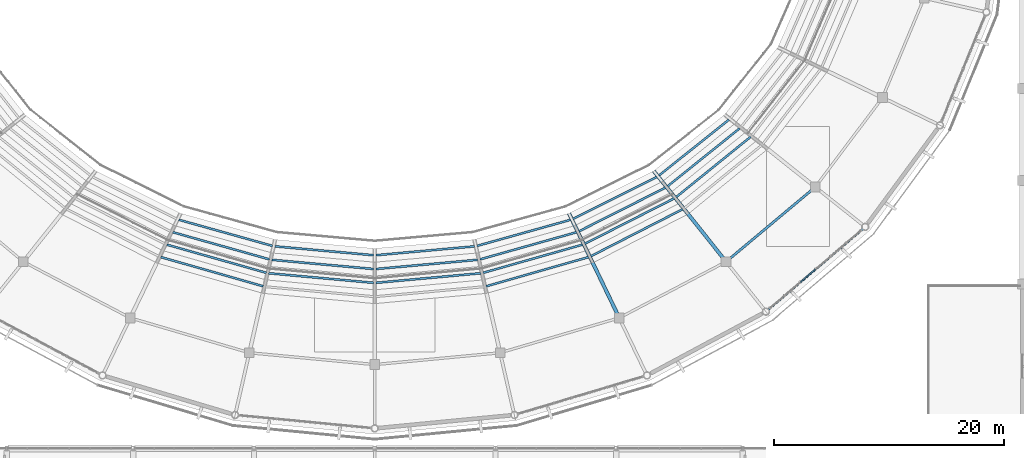
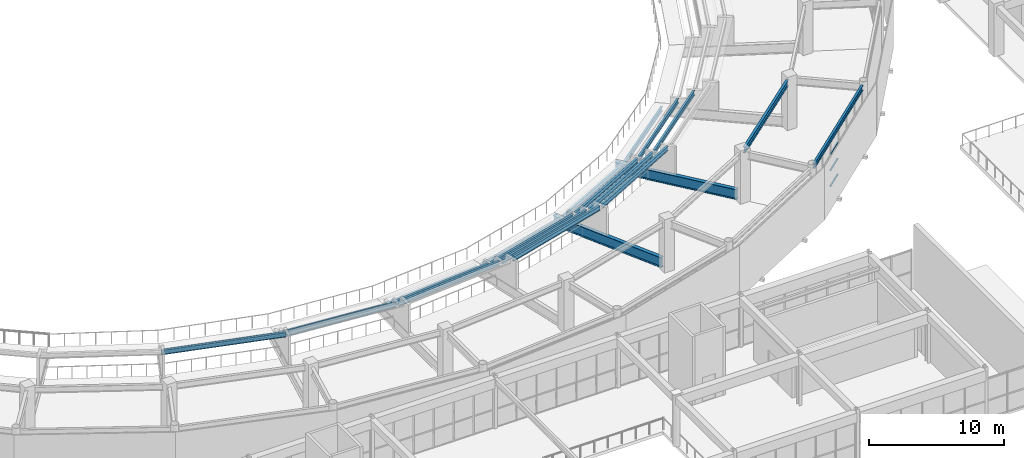
# One storey, part 38 of 122: 25 beams, 4 members, 1 element without a shape of its own.
"""IFC4 building model written with IfcOpenShell, lengths in metres."""

from ifc_helpers import new_model, si_unit, direction, frame, origin, origin_2d, place, context, subcontext, project, spatial, rectangle, i_section, extrude, material, material_profile, profile_set, type_object, element, aggregate, save


model = new_model("IFC4")

# Units and contexts
model_context = context("Model", 3, precision=1e-05, world=origin(), true_north=direction((0.0, 1.0)))
body_context = subcontext(model_context, "Body", "Model", "MODEL_VIEW")
ifc_project = project(units=[si_unit("LENGTHUNIT", "METRE"), si_unit("AREAUNIT", "SQUARE_METRE"), si_unit("VOLUMEUNIT", "CUBIC_METRE"), si_unit("PLANEANGLEUNIT", "RADIAN"), si_unit("MASSUNIT", "GRAM", prefix="KILO")], contexts=[model_context])

# Site, building, storey
site_placement = place(None, origin())
site = spatial("IfcSite", under=ifc_project, at=site_placement, CompositionType="ELEMENT")
building_placement = place(site_placement, origin())
building = spatial("IfcBuilding", under=site, at=building_placement, Name="Cuetzalor Civic Arena", CompositionType="ELEMENT")
storey_placement = place(building_placement, frame((0.0, 0.0, 16.199951171875)))
storey = spatial("IfcBuildingStorey", under=building, at=storey_placement, Name="L03", CompositionType="ELEMENT", Elevation=16.199951171875)

# Curtain wall, members
ifc_material_1 = material(Name="Anodised dark bronze aluminium and low-E solar glass", Category="aluminium")
curtain_wall_type = type_object("IfcCurtainWallType", Name="UnitisedCW_10550x4050", PredefinedType="USERDEFINED", material=ifc_material_1)
curtain_wall_placement = place(storey_placement, origin())
curtain_wall = element("IfcCurtainWall", 1, at=curtain_wall_placement, inside=storey, type_object=curtain_wall_type, Name="Drum Triangle Foyer Curtain Wall L03-055", ObjectType="UNITISED CURTAIN WALL", PredefinedType="USERDEFINED")
ifc_material_2 = material(Name="Anodised dark bronze aluminium", Category="aluminium")
ifc_material_profile_1 = material_profile(ifc_material_2, rectangle(XDim=0.1201171875, YDim=0.06494140625, at=origin_2d()), Name="ALU TRANSOM 65x120")
ifc_profile_set_1 = profile_set([ifc_material_profile_1], Name="Anodised dark bronze aluminium")
member_type = type_object("IfcMemberType", Name="CurtainWallTransom_60x120", PredefinedType="USERDEFINED", material=ifc_profile_set_1)
member_1_placement = place(storey_placement, frame((38.305419921875, -32.72998046875, 0.032470703125), z_axis=(-0.760661918834, -0.649148245963, 0.0), x_axis=(0.649148245963, -0.760661918834, 0.0)))
member_1 = element("IfcMember", 2, at=member_1_placement, type_object=member_type, Name="CW-16 transom 4.1", ObjectType="TRANSOM", PredefinedType="USERDEFINED", context=body_context, shape_type="SweptSolid", body=[
    extrude(rectangle(XDim=0.1201171875, YDim=0.06494140625, at=origin_2d()), origin(), (0.0, 0.0, 1.0), 1.690185546875),
])
member_2_placement = place(storey_placement, frame((38.305419921875, -32.72998046875, 1.458984375), z_axis=(-0.760661918834, -0.649148245963, 0.0), x_axis=(0.649148245963, -0.760661918834, 0.0)))
member_2 = element("IfcMember", 3, at=member_2_placement, type_object=member_type, Name="CW-16 transom 4.2", ObjectType="TRANSOM", PredefinedType="USERDEFINED", context=body_context, shape_type="SweptSolid", body=[
    extrude(rectangle(XDim=0.1201171875, YDim=0.06494140625, at=origin_2d()), origin(), (0.0, 0.0, 1.0), 1.690185546875),
])
member_3_placement = place(storey_placement, frame((38.305419921875, -32.72998046875, 2.91796875), z_axis=(-0.760661918834, -0.649148245963, 0.0), x_axis=(0.649148245963, -0.760661918834, 0.0)))
member_3 = element("IfcMember", 4, at=member_3_placement, type_object=member_type, Name="CW-16 transom 4.3", ObjectType="TRANSOM", PredefinedType="USERDEFINED", context=body_context, shape_type="SweptSolid", body=[
    extrude(rectangle(XDim=0.1201171875, YDim=0.06494140625, at=origin_2d()), origin(), (0.0, 0.0, 1.0), 1.690185546875),
])
member_4_placement = place(storey_placement, frame((38.305419921875, -32.72998046875, 4.0205078125), z_axis=(-0.760661918834, -0.649148245963, 0.0), x_axis=(0.649148245963, -0.760661918834, 0.0)))
member_4 = element("IfcMember", 5, at=member_4_placement, type_object=member_type, Name="CW-16 transom 4.4", ObjectType="TRANSOM", PredefinedType="USERDEFINED", context=body_context, shape_type="SweptSolid", body=[
    extrude(rectangle(XDim=0.1201171875, YDim=0.06494140625, at=origin_2d()), origin(), (0.0, 0.0, 1.0), 1.690185546875),
])
aggregate(curtain_wall, [member_1, member_2, member_3, member_4])

# Beams
ifc_material_3 = material(Name="Steel S355", Category="steel")
ifc_material_profile_2 = material_profile(ifc_material_3, i_section(OverallWidth=0.18994140625, OverallDepth=0.45703125, WebThickness=0.009033203125, FlangeThickness=0.014404296875, at=origin_2d()), Name="W460x74")
ifc_profile_set_2 = profile_set([ifc_material_profile_2], Name="Steel S355")
beam_type_1 = type_object("IfcBeamType", Name="FacadeSpandrelBeam_W460", PredefinedType="SPANDREL", material=ifc_profile_set_2)
beam_1_placement = place(storey_placement, frame((34.23193359375, -36.2060546875, 4.29150390625), z_axis=(0.760676650628, 0.649130983076, 0.0), x_axis=(-0.649130983076, 0.760676650628, 0.0)))
element("IfcBeam", 6, at=beam_1_placement, inside=storey, type_object=beam_type_1, Name="Drum Perimeter Spandrel L03-S25", PredefinedType="SPANDREL", context=body_context, shape_type="SweptSolid", body=[
    extrude(i_section(OverallWidth=0.18994140625, OverallDepth=0.45703125, WebThickness=0.009033203125, FlangeThickness=0.014404296875, at=origin_2d()), origin(), (0.0, 0.0, 1.0), 10.77490234375),
])
ifc_material_4 = material(Name="Steel S355", Category="steel")
ifc_material_profile_3 = material_profile(ifc_material_4, i_section(OverallWidth=0.208984375, OverallDepth=0.532958984375, WebThickness=0.01025390625, FlangeThickness=0.015625, at=origin_2d()), Name="W530x92")
ifc_profile_set_3 = profile_set([ifc_material_profile_3], Name="Steel S355")
beam_type_2 = type_object("IfcBeamType", Name="SteelCollarGirder_W530", PredefinedType="BEAM", material=ifc_profile_set_3)
beam_2_placement = place(storey_placement, frame((30.834716796875, -31.817626953125, 4.253662109375), z_axis=(0.766937066427, 0.641722320121, 0.0), x_axis=(-0.641722320121, 0.766937066427, 0.0)))
element("IfcBeam", 7, at=beam_2_placement, inside=storey, type_object=beam_type_2, Name="Drum Concourse Ring Girder L03-S25", PredefinedType="BEAM", context=body_context, shape_type="SweptSolid", body=[
    extrude(i_section(OverallWidth=0.208984375, OverallDepth=0.532958984375, WebThickness=0.01025390625, FlangeThickness=0.015625, at=origin_2d()), origin(), (0.0, 0.0, 1.0), 9.37646484375),
])
ifc_material_5 = material(Name="Steel S355", Category="steel")
ifc_material_profile_4 = material_profile(ifc_material_5, i_section(OverallWidth=0.177978515625, OverallDepth=0.406982421875, WebThickness=0.0078125, FlangeThickness=0.0126953125, at=origin_2d()), Name="W410x60")
ifc_profile_set_4 = profile_set([ifc_material_profile_4], Name="Steel S355")
beam_type_3 = type_object("IfcBeamType", Name="SteelSecondaryBeam_W410", PredefinedType="BEAM", material=ifc_profile_set_4)
beam_3_placement = place(storey_placement, frame((-17.034423828125, -28.409423828125, 0.70751953125), z_axis=(0.963200649312, -0.26878338707, 0.0), x_axis=(0.26878338707, 0.963200649312, 0.0)))
element("IfcBeam", 8, at=beam_3_placement, inside=storey, type_object=beam_type_3, Name="Upper Bowl Tier Carrier Beam S20-R1", PredefinedType="BEAM", context=body_context, shape_type="SweptSolid", body=[
    extrude(i_section(OverallWidth=0.177978515625, OverallDepth=0.406982421875, WebThickness=0.0078125, FlangeThickness=0.0126953125, at=origin_2d()), origin(), (0.0, 0.0, 1.0), 8.451904296875),
])
beam_4_placement = place(storey_placement, frame((-17.55517578125, -29.490966796875, 1.551513671875), z_axis=(0.962683770565, -0.270628819401, 0.0), x_axis=(0.270628819401, 0.962683770565, 0.0)))
element("IfcBeam", 9, at=beam_4_placement, inside=storey, type_object=beam_type_3, Name="Upper Bowl Tier Carrier Beam S20-R2", PredefinedType="BEAM", context=body_context, shape_type="SweptSolid", body=[
    extrude(i_section(OverallWidth=0.177978515625, OverallDepth=0.406982421875, WebThickness=0.0078125, FlangeThickness=0.0126953125, at=origin_2d()), origin(), (0.0, 0.0, 1.0), 8.719970703125),
])
beam_5_placement = place(storey_placement, frame((-18.07568359375, -30.572265625, 2.401611328125), z_axis=(0.962180257647, -0.272413567567, 0.0), x_axis=(0.272413567567, 0.962180257647, 0.0)))
element("IfcBeam", 10, at=beam_5_placement, inside=storey, type_object=beam_type_3, Name="Upper Bowl Tier Carrier Beam S20-R3", PredefinedType="BEAM", context=body_context, shape_type="SweptSolid", body=[
    extrude(i_section(OverallWidth=0.177978515625, OverallDepth=0.406982421875, WebThickness=0.0078125, FlangeThickness=0.0126953125, at=origin_2d()), origin(), (0.0, 0.0, 1.0), 8.988037109375),
])
beam_6_placement = place(storey_placement, frame((-18.596435546875, -31.653564453125, 3.25146484375), z_axis=(0.961709849656, -0.27406963545, 0.0), x_axis=(0.27406963545, 0.961709849656, 0.0)))
element("IfcBeam", 11, at=beam_6_placement, inside=storey, type_object=beam_type_3, Name="Upper Bowl Tier Carrier Beam S20-R4", PredefinedType="BEAM", context=body_context, shape_type="SweptSolid", body=[
    extrude(i_section(OverallWidth=0.177978515625, OverallDepth=0.406982421875, WebThickness=0.0078125, FlangeThickness=0.0126953125, at=origin_2d()), origin(), (0.0, 0.0, 1.0), 9.25634765625),
])
beam_7_placement = place(storey_placement, frame((-8.681884765625, -30.719970703125, 0.70751953125), z_axis=(0.995989110242, -0.089474534249, 0.0), x_axis=(0.089474534249, 0.995989110242, 0.0)))
element("IfcBeam", 12, at=beam_7_placement, inside=storey, type_object=beam_type_3, Name="Upper Bowl Tier Carrier Beam S21-R1", PredefinedType="BEAM", context=body_context, shape_type="SweptSolid", body=[
    extrude(i_section(OverallWidth=0.177978515625, OverallDepth=0.406982421875, WebThickness=0.0078125, FlangeThickness=0.0126953125, at=origin_2d()), origin(), (0.0, 0.0, 1.0), 8.608642578125),
])
beam_8_placement = place(storey_placement, frame((-8.948974609375, -31.889892578125, 1.551513671875), z_axis=(0.995928296807, -0.090148919118, 0.0), x_axis=(0.090148919118, 0.995928296807, 0.0)))
element("IfcBeam", 13, at=beam_8_placement, inside=storey, type_object=beam_type_3, Name="Upper Bowl Tier Carrier Beam S21-R2", PredefinedType="BEAM", context=body_context, shape_type="SweptSolid", body=[
    extrude(i_section(OverallWidth=0.177978515625, OverallDepth=0.406982421875, WebThickness=0.0078125, FlangeThickness=0.0126953125, at=origin_2d()), origin(), (0.0, 0.0, 1.0), 8.87744140625),
])
beam_9_placement = place(storey_placement, frame((-9.216064453125, -33.059814453125, 2.401611328125), z_axis=(0.995870639536, -0.090783640106, 0.0), x_axis=(0.090783640106, 0.995870639536, 0.0)))
element("IfcBeam", 14, at=beam_9_placement, inside=storey, type_object=beam_type_3, Name="Upper Bowl Tier Carrier Beam S21-R3", PredefinedType="BEAM", context=body_context, shape_type="SweptSolid", body=[
    extrude(i_section(OverallWidth=0.177978515625, OverallDepth=0.406982421875, WebThickness=0.0078125, FlangeThickness=0.0126953125, at=origin_2d()), origin(), (0.0, 0.0, 1.0), 9.146240234375),
])
beam_10_placement = place(storey_placement, frame((0.107666015625, -31.490234375, 0.70751953125), z_axis=(0.995989110242, 0.089474534249, 0.0), x_axis=(-0.089474534249, 0.995989110242, 0.0)))
element("IfcBeam", 15, at=beam_10_placement, inside=storey, type_object=beam_type_3, Name="Upper Bowl Tier Carrier Beam S22-R1", PredefinedType="BEAM", context=body_context, shape_type="SweptSolid", body=[
    extrude(i_section(OverallWidth=0.177978515625, OverallDepth=0.406982421875, WebThickness=0.0078125, FlangeThickness=0.0126953125, at=origin_2d()), origin(), (0.0, 0.0, 1.0), 8.608642578125),
])
beam_11_placement = place(storey_placement, frame((0.107666015625, -32.690185546875, 1.551513671875), z_axis=(0.995928296807, 0.090148919118, 0.0), x_axis=(-0.090148919118, 0.995928296807, 0.0)))
element("IfcBeam", 16, at=beam_11_placement, inside=storey, type_object=beam_type_3, Name="Upper Bowl Tier Carrier Beam S22-R2", PredefinedType="BEAM", context=body_context, shape_type="SweptSolid", body=[
    extrude(i_section(OverallWidth=0.177978515625, OverallDepth=0.406982421875, WebThickness=0.0078125, FlangeThickness=0.0126953125, at=origin_2d()), origin(), (0.0, 0.0, 1.0), 8.87744140625),
])
beam_12_placement = place(storey_placement, frame((0.107666015625, -33.89013671875, 2.401611328125), z_axis=(0.995870639536, 0.090783640106, 0.0), x_axis=(-0.090783640106, 0.995870639536, 0.0)))
element("IfcBeam", 17, at=beam_12_placement, inside=storey, type_object=beam_type_3, Name="Upper Bowl Tier Carrier Beam S22-R3", PredefinedType="BEAM", context=body_context, shape_type="SweptSolid", body=[
    extrude(i_section(OverallWidth=0.177978515625, OverallDepth=0.406982421875, WebThickness=0.0078125, FlangeThickness=0.0126953125, at=origin_2d()), origin(), (0.0, 0.0, 1.0), 9.146240234375),
])
beam_13_placement = place(storey_placement, frame((8.8935546875, -30.68115234375, 0.70751953125), z_axis=(0.963200649312, 0.26878338707, 0.0), x_axis=(-0.26878338707, 0.963200649312, 0.0)))
element("IfcBeam", 18, at=beam_13_placement, inside=storey, type_object=beam_type_3, Name="Upper Bowl Tier Carrier Beam S23-R1", PredefinedType="BEAM", context=body_context, shape_type="SweptSolid", body=[
    extrude(i_section(OverallWidth=0.177978515625, OverallDepth=0.406982421875, WebThickness=0.0078125, FlangeThickness=0.0126953125, at=origin_2d()), origin(), (0.0, 0.0, 1.0), 8.451904296875),
])
beam_14_placement = place(storey_placement, frame((9.16064453125, -31.850830078125, 1.551513671875), z_axis=(0.962683770565, 0.270628819401, 0.0), x_axis=(-0.270628819401, 0.962683770565, 0.0)))
element("IfcBeam", 19, at=beam_14_placement, inside=storey, type_object=beam_type_3, Name="Upper Bowl Tier Carrier Beam S23-R2", PredefinedType="BEAM", context=body_context, shape_type="SweptSolid", body=[
    extrude(i_section(OverallWidth=0.177978515625, OverallDepth=0.406982421875, WebThickness=0.0078125, FlangeThickness=0.0126953125, at=origin_2d()), origin(), (0.0, 0.0, 1.0), 8.719970703125),
])
beam_15_placement = place(storey_placement, frame((9.427490234375, -33.020751953125, 2.401611328125), z_axis=(0.962180257647, 0.272413567567, 0.0), x_axis=(-0.272413567567, 0.962180257647, 0.0)))
element("IfcBeam", 20, at=beam_15_placement, inside=storey, type_object=beam_type_3, Name="Upper Bowl Tier Carrier Beam S23-R3", PredefinedType="BEAM", context=body_context, shape_type="SweptSolid", body=[
    extrude(i_section(OverallWidth=0.177978515625, OverallDepth=0.406982421875, WebThickness=0.0078125, FlangeThickness=0.0126953125, at=origin_2d()), origin(), (0.0, 0.0, 1.0), 8.988037109375),
])
beam_16_placement = place(storey_placement, frame((9.694580078125, -34.1904296875, 3.25146484375), z_axis=(0.961709849656, 0.27406963545, 0.0), x_axis=(-0.27406963545, 0.961709849656, 0.0)))
element("IfcBeam", 21, at=beam_16_placement, inside=storey, type_object=beam_type_3, Name="Upper Bowl Tier Carrier Beam S23-R4", PredefinedType="BEAM", context=body_context, shape_type="SweptSolid", body=[
    extrude(i_section(OverallWidth=0.177978515625, OverallDepth=0.406982421875, WebThickness=0.0078125, FlangeThickness=0.0126953125, at=origin_2d()), origin(), (0.0, 0.0, 1.0), 9.25634765625),
])
beam_17_placement = place(storey_placement, frame((17.235107421875, -28.33203125, 0.70751953125), z_axis=(0.894037945543, 0.447991240907, 0.0), x_axis=(-0.447991240907, 0.894037945543, 0.0)))
element("IfcBeam", 22, at=beam_17_placement, inside=storey, type_object=beam_type_3, Name="Upper Bowl Tier Carrier Beam S24-R1", PredefinedType="BEAM", context=body_context, shape_type="SweptSolid", body=[
    extrude(i_section(OverallWidth=0.177978515625, OverallDepth=0.406982421875, WebThickness=0.0078125, FlangeThickness=0.0126953125, at=origin_2d()), origin(), (0.0, 0.0, 1.0), 8.160888671875),
])
beam_18_placement = place(storey_placement, frame((17.755615234375, -29.4130859375, 1.551513671875), z_axis=(0.892682460689, 0.45068617061, 0.0), x_axis=(-0.45068617061, 0.892682460689, 0.0)))
element("IfcBeam", 23, at=beam_18_placement, inside=storey, type_object=beam_type_3, Name="Upper Bowl Tier Carrier Beam S24-R2", PredefinedType="BEAM", context=body_context, shape_type="SweptSolid", body=[
    extrude(i_section(OverallWidth=0.177978515625, OverallDepth=0.406982421875, WebThickness=0.0078125, FlangeThickness=0.0126953125, at=origin_2d()), origin(), (0.0, 0.0, 1.0), 8.428466796875),
])
beam_19_placement = place(storey_placement, frame((18.27587890625, -30.493896484375, 2.401611328125), z_axis=(0.891420116487, 0.453177863452, 0.0), x_axis=(-0.453177863452, 0.891420116487, 0.0)))
element("IfcBeam", 24, at=beam_19_placement, inside=storey, type_object=beam_type_3, Name="Upper Bowl Tier Carrier Beam S24-R3", PredefinedType="BEAM", context=body_context, shape_type="SweptSolid", body=[
    extrude(i_section(OverallWidth=0.177978515625, OverallDepth=0.406982421875, WebThickness=0.0078125, FlangeThickness=0.0126953125, at=origin_2d()), origin(), (0.0, 0.0, 1.0), 8.6962890625),
])
beam_20_placement = place(storey_placement, frame((18.79638671875, -31.57470703125, 3.25146484375), z_axis=(0.890226845058, 0.455517468751, 0.0), x_axis=(-0.455517468751, 0.890226845058, 0.0)))
element("IfcBeam", 25, at=beam_20_placement, inside=storey, type_object=beam_type_3, Name="Upper Bowl Tier Carrier Beam S24-R4", PredefinedType="BEAM", context=body_context, shape_type="SweptSolid", body=[
    extrude(i_section(OverallWidth=0.177978515625, OverallDepth=0.406982421875, WebThickness=0.0078125, FlangeThickness=0.0126953125, at=origin_2d()), origin(), (0.0, 0.0, 1.0), 8.9638671875),
])
beam_21_placement = place(storey_placement, frame((24.712158203125, -24.560302734375, 0.70751953125), z_axis=(0.781840949044, 0.623477930963, 0.0), x_axis=(-0.623477930963, 0.781840949044, 0.0)))
element("IfcBeam", 26, at=beam_21_placement, inside=storey, type_object=beam_type_3, Name="Upper Bowl Tier Carrier Beam S25-R1", PredefinedType="BEAM", context=body_context, shape_type="SweptSolid", body=[
    extrude(i_section(OverallWidth=0.177978515625, OverallDepth=0.406982421875, WebThickness=0.0078125, FlangeThickness=0.0126953125, at=origin_2d()), origin(), (0.0, 0.0, 1.0), 7.78369140625),
])
beam_22_placement = place(storey_placement, frame((25.460205078125, -25.498291015625, 1.551513671875), z_axis=(0.779559434409, 0.626328259162, 0.0), x_axis=(-0.626328259162, 0.779559434409, 0.0)))
element("IfcBeam", 27, at=beam_22_placement, inside=storey, type_object=beam_type_3, Name="Upper Bowl Tier Carrier Beam S25-R2", PredefinedType="BEAM", context=body_context, shape_type="SweptSolid", body=[
    extrude(i_section(OverallWidth=0.177978515625, OverallDepth=0.406982421875, WebThickness=0.0078125, FlangeThickness=0.0126953125, at=origin_2d()), origin(), (0.0, 0.0, 1.0), 8.05078125),
])
beam_23_placement = place(storey_placement, frame((26.208251953125, -26.436279296875, 2.401611328125), z_axis=(0.777400684757, 0.629005703742, 0.0), x_axis=(-0.629005703742, 0.777400684757, 0.0)))
element("IfcBeam", 28, at=beam_23_placement, inside=storey, type_object=beam_type_3, Name="Upper Bowl Tier Carrier Beam S25-R3", PredefinedType="BEAM", context=body_context, shape_type="SweptSolid", body=[
    extrude(i_section(OverallWidth=0.177978515625, OverallDepth=0.406982421875, WebThickness=0.0078125, FlangeThickness=0.0126953125, at=origin_2d()), origin(), (0.0, 0.0, 1.0), 8.318115234375),
])
ifc_material_6 = material(Name="Steel S355", Category="steel")
ifc_material_profile_5 = material_profile(ifc_material_6, i_section(OverallWidth=0.303955078125, OverallDepth=0.910888671875, WebThickness=0.015869140625, FlangeThickness=0.02392578125, at=origin_2d()), Name="W920x223")
ifc_profile_set_5 = profile_set([ifc_material_profile_5], Name="Steel S355")
beam_type_4 = type_object("IfcBeamType", Name="UpperBowlRakerBeam_W840", PredefinedType="USERDEFINED", material=ifc_profile_set_5)
beam_24_placement = place(storey_placement, frame((16.878173828125, -27.83984375, 0.45556640625), z_axis=(0.433872257187, -0.900974397219, 0.0), x_axis=(0.900974397219, 0.433872257187, 0.0)))
element("IfcBeam", 29, at=beam_24_placement, inside=storey, type_object=beam_type_4, Name="Upper Bowl Raker Beam R24", ObjectType="RAKER", PredefinedType="USERDEFINED", context=body_context, shape_type="SweptSolid", body=[
    extrude(i_section(OverallWidth=0.303955078125, OverallDepth=0.910888671875, WebThickness=0.015869140625, FlangeThickness=0.02392578125, at=origin_2d()), origin(), (0.0, 0.0, 1.0), 9.72021484375),
])
beam_25_placement = place(storey_placement, frame((24.25390625, -24.15869140625, 0.45556640625), z_axis=(0.623490505412, -0.781830921402, 0.0), x_axis=(0.781830921402, 0.623490505412, 0.0)))
element("IfcBeam", 30, at=beam_25_placement, inside=storey, type_object=beam_type_4, Name="Upper Bowl Raker Beam R25", ObjectType="RAKER", PredefinedType="USERDEFINED", context=body_context, shape_type="SweptSolid", body=[
    extrude(i_section(OverallWidth=0.303955078125, OverallDepth=0.910888671875, WebThickness=0.015869140625, FlangeThickness=0.02392578125, at=origin_2d()), origin(), (0.0, 0.0, 1.0), 9.719970703125),
])

save(model, "model.ifc")
